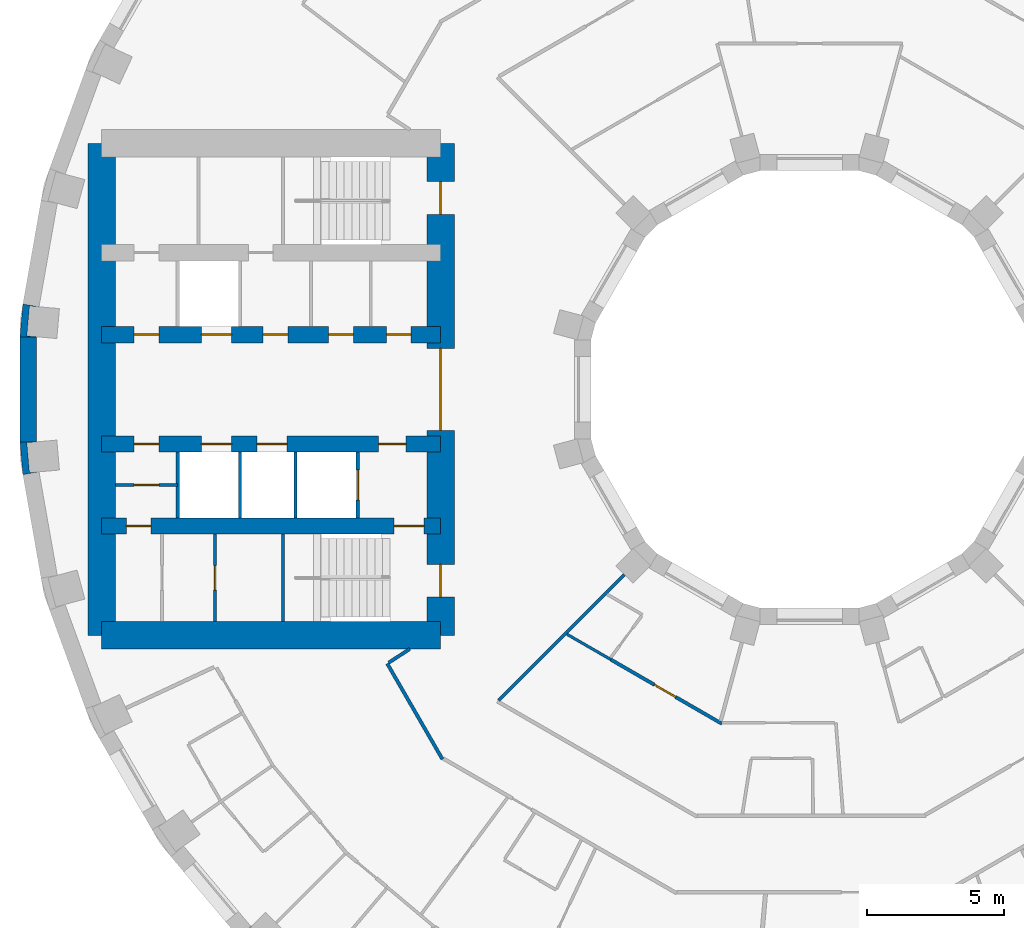
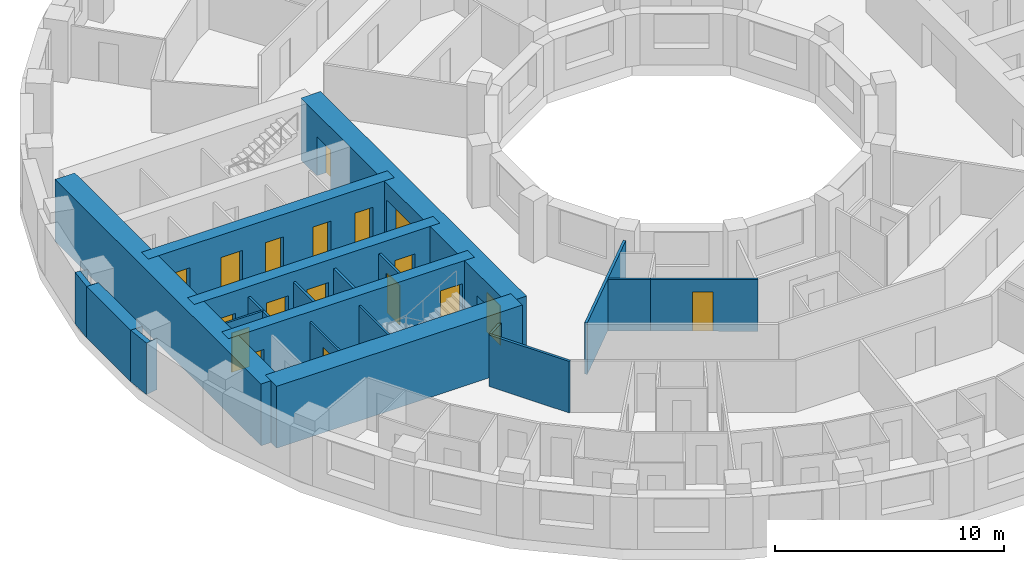
# One storey, part 6 of 15: 21 walls, 18 doors, 18 openings.
"""IFC4 building model written with IfcOpenShell, lengths in metres."""

from ifc_helpers import new_model, si_unit, direction, frame, frame_2d, origin, place, context, subcontext, project, spatial, polyline, rectangle, outline, extrude, material, layer, layer_set, type_object, element, fill, save


model = new_model("IFC4")

# Units and contexts
model_context = context("Model", 3, precision=1e-05, world=origin(), true_north=direction((0.0, 1.0)))
body_context = subcontext(model_context, "Body", "Model", "MODEL_VIEW")
ifc_project = project(units=[si_unit("LENGTHUNIT", "METRE"), si_unit("AREAUNIT", "SQUARE_METRE"), si_unit("VOLUMEUNIT", "CUBIC_METRE"), si_unit("PLANEANGLEUNIT", "RADIAN"), si_unit("MASSUNIT", "GRAM", prefix="KILO")], contexts=[model_context])

# Site, building, storey
site_placement = place(None, origin())
site = spatial("IfcSite", under=ifc_project, at=site_placement, CompositionType="ELEMENT")
building_placement = place(site_placement, origin())
building = spatial("IfcBuilding", under=site, at=building_placement, Name="Saqina Gate Tower", CompositionType="ELEMENT")
storey_placement = place(building_placement, frame((0.0, 0.0, 36.199951171875)))
storey = spatial("IfcBuildingStorey", under=building, at=storey_placement, Name="L09", CompositionType="ELEMENT", Elevation=36.199951171875)

# Walls
ifc_material_1 = material(Name="Brick masonry (red)", Category="masonry")
wall_type_1 = type_object("IfcWallType", Name="BRICK PIER COPING RED", PredefinedType="SOLIDWALL", material=ifc_material_1)
wall_1_placement = place(storey_placement, origin())
element("IfcWall", 1, at=wall_1_placement, inside=storey, type_object=wall_type_1, Name="Pier cap L09 column 18", PredefinedType="SOLIDWALL", context=body_context, shape_type="SweptSolid", body=[
    extrude(outline(polyline([(-28.78466796875, 3.122802734375), (-28.8896484375, 1.9228515625), (-28.28955078125, 1.9228515625), (-28.638671875, 1.95361328125), (-28.54296875, 3.04931640625), (-28.19384765625, 3.018798828125), (-28.78466796875, 3.122802734375)])), origin(), (0.0, 0.0, 1.0), 2.75),
])
wall_2_placement = place(storey_placement, origin())
element("IfcWall", 2, at=wall_2_placement, inside=storey, type_object=wall_type_1, Name="Pier cap L09 column 19", PredefinedType="SOLIDWALL", context=body_context, shape_type="SweptSolid", body=[
    extrude(outline(polyline([(-28.8896484375, -1.9228515625), (-28.78466796875, -3.122802734375), (-28.19384765625, -3.018798828125), (-28.54296875, -3.04931640625), (-28.638671875, -1.95361328125), (-28.28955078125, -1.9228515625), (-28.8896484375, -1.9228515625)])), origin(), (0.0, 0.0, 1.0), 2.75),
])

# Wall, opening, door
ifc_material_2 = material(Name="Gypsum board on steel studs", Category="steel")
ifc_layer_1 = layer(ifc_material_2, 0.10009765625)
ifc_layer_set_1 = layer_set([ifc_layer_1], Name="CORE PARTITION")
wall_type_2 = type_object("IfcWallType", Name="CORE PARTITION", PredefinedType="PARTITIONING", material=ifc_layer_set_1)
wall_3_placement = place(storey_placement, frame((-23.1201171875, -3.5, 0.0), z_axis=(0.0, 0.0, 1.0), x_axis=(-1.0, 0.0, 0.0)))
wall_3 = element("IfcWall", 3, at=wall_3_placement, inside=storey, type_object=wall_type_2, Name="L09-CP-W09", PredefinedType="PARTITIONING", context=body_context, shape_type="SweptSolid", body=[
    extrude(rectangle(XDim=2.27978515625, YDim=0.10009765625, at=frame_2d((1.139892578125, 0.0))), origin(), (0.0, 0.0, 1.0), 2.75),
])
opening_1_placement = place(wall_3_placement, frame((0.68994140625, 0.0, 0.0)))
opening_1 = element("IfcOpeningElement", 4, at=opening_1_placement, cuts=wall_3, Name="Opening G02-D114", PredefinedType="OPENING", context=body_context, shape_type="SweptSolid", body=[
    extrude(rectangle(XDim=0.89990234375, YDim=2.10009765625, at=frame_2d((0.449951171875, 1.050048828125))), frame((0.0, 0.06201171875, 0.0), z_axis=(0.0, -1.0, 0.0), x_axis=(1.0, 0.0, 0.0)), (0.0, 0.0, 1.0), 0.1240234375),
])
ifc_material_3 = material(Name="Steel-framed fire door leaf, EI 60", Category="steel")
door_type_1 = type_object("IfcDoorType", Name="SERVICE ROOM DOOR 900", OperationType="SINGLE_SWING_LEFT", PredefinedType="DOOR", material=ifc_material_3)
door_1_placement = place(opening_1_placement, origin())
door_1 = element("IfcDoor", 5, at=door_1_placement, inside=storey, type_object=door_type_1, Name="L09-CD-W25", OperationType="SINGLE_SWING_RIGHT", OverallHeight=2.10009765625, OverallWidth=0.89990234375, PredefinedType="DOOR", context=body_context, shape_type="SweptSolid", body=[
    extrude(rectangle(XDim=0.89990234375, YDim=2.10009765625, at=frame_2d((0.449951171875, 1.050048828125))), frame((0.0, 0.02490234375, 0.0), z_axis=(0.0, -1.0, 0.0), x_axis=(1.0, 0.0, 0.0)), (0.0, 0.0, 1.0), 0.050048828125),
])
fill(opening_1, door_1)

wall_4_placement = place(storey_placement, frame((-21.751953125, -8.5, 0.0), z_axis=(0.0, 0.0, 1.0), x_axis=(0.0, 1.0, 0.0)))
wall_4 = element("IfcWall", 6, at=wall_4_placement, inside=storey, type_object=wall_type_2, Name="L09-CP-W13", PredefinedType="PARTITIONING", context=body_context, shape_type="SweptSolid", body=[
    extrude(rectangle(XDim=3.199951171875, YDim=0.10009765625, at=frame_2d((1.60009765625, 0.0))), origin(), (0.0, 0.0, 1.0), 2.75),
])
opening_2_placement = place(wall_4_placement, frame((1.14990234375, 0.0, 0.0)))
opening_2 = element("IfcOpeningElement", 7, at=opening_2_placement, cuts=wall_4, Name="Opening G02-D116", PredefinedType="OPENING", context=body_context, shape_type="SweptSolid", body=[
    extrude(rectangle(XDim=0.89990234375, YDim=2.10009765625, at=frame_2d((0.449951171875, 1.050048828125))), frame((0.0, 0.06201171875, 0.0), z_axis=(0.0, -1.0, 0.0), x_axis=(1.0, 0.0, 0.0)), (0.0, 0.0, 1.0), 0.1240234375),
])
door_2_placement = place(opening_2_placement, frame((0.89990234375, 0.0, 0.0), z_axis=(0.0, 0.0, 1.0), x_axis=(-1.0, 0.0, 0.0)))
door_2 = element("IfcDoor", 8, at=door_2_placement, inside=storey, type_object=door_type_1, Name="L09-CD-W27", OperationType="SINGLE_SWING_RIGHT", OverallHeight=2.10009765625, OverallWidth=0.89990234375, PredefinedType="DOOR", context=body_context, shape_type="SweptSolid", body=[
    extrude(rectangle(XDim=0.89990234375, YDim=2.10009765625, at=frame_2d((0.449951171875, 1.050048828125))), frame((0.0, 0.02490234375, 0.0), z_axis=(0.0, -1.0, 0.0), x_axis=(1.0, 0.0, 0.0)), (0.0, 0.0, 1.0), 0.050048828125),
])
fill(opening_2, door_2)

# Walls
ifc_material_4 = material(Name="Glazed ceramic tile", Category="ceramic")
ifc_layer_2 = layer(ifc_material_4, 0.60009765625)
ifc_layer_set_2 = layer_set([ifc_layer_2], Name="FW-TILE")
wall_type_3 = type_object("IfcWallType", Name="FW-TILE", PredefinedType="SOLIDWALL", material=ifc_layer_set_2)
wall_5_placement = place(storey_placement, frame((-28.589599609375, 1.9228515625, 0.0), z_axis=(0.0, 0.0, 1.0), x_axis=(0.0, -1.0, 0.0)))
element("IfcWall", 9, at=wall_5_placement, inside=storey, type_object=wall_type_3, Name="Facade wall L09 facet 18", PredefinedType="SOLIDWALL", context=body_context, shape_type="SweptSolid", body=[
    extrude(rectangle(XDim=3.845703125, YDim=0.60009765625, at=frame_2d((1.9228515625, 0.0))), origin(), (0.0, 0.0, 1.0), 2.75),
])
ifc_material_5 = material(Name="Gypsum board on steel studs, 100 mm", Category="steel")
ifc_layer_3 = layer(ifc_material_5, 0.10009765625)
ifc_layer_set_3 = layer_set([ifc_layer_3], Name="PARTITION 100")
wall_type_4 = type_object("IfcWallType", Name="PARTITION 100", PredefinedType="PARTITIONING", material=ifc_layer_set_3)
wall_6_placement = place(storey_placement, frame((-8.876953125, -8.962158203125, 0.0), z_axis=(0.0, 0.0, 1.0), x_axis=(0.866196532088, -0.499703479875, 0.0)))
element("IfcWall", 10, at=wall_6_placement, inside=storey, type_object=wall_type_4, Name="PARTITION PW3-43", PredefinedType="PARTITIONING", context=body_context, shape_type="SweptSolid", body=[
    extrude(rectangle(XDim=1.856689453125, YDim=0.10009765625, at=frame_2d((0.92822265625, 0.0))), origin(), (0.0, 0.0, 1.0), 2.75),
])
ifc_material_6 = material(Name="Gypsum board on steel studs, 125 mm, fire rated", Category="steel")
ifc_layer_4 = layer(ifc_material_6, 0.125)
ifc_layer_set_4 = layer_set([ifc_layer_4], Name="PARTITION EI 30 125")
wall_type_5 = type_object("IfcWallType", Name="PARTITION EI 30 125", PredefinedType="PARTITIONING", material=ifc_layer_set_4)
wall_7_placement = place(storey_placement, frame((-15.452880859375, -10.034912109375, 0.0), z_axis=(0.0, 0.0, 1.0), x_axis=(0.499949220301, -0.866054719472, 0.0)))
element("IfcWall", 11, at=wall_7_placement, inside=storey, type_object=wall_type_5, Name="PARTITION PW1-03", PredefinedType="PARTITIONING", context=body_context, shape_type="SweptSolid", body=[
    extrude(rectangle(XDim=4.03857421875, YDim=0.125, at=frame_2d((2.019287109375, 0.0))), origin(), (0.0, 0.0, 1.0), 2.75),
])

# Wall, opening, door
wall_8_placement = place(storey_placement, frame((-7.268798828125, -9.889892578125, 0.0), z_axis=(0.0, 0.0, 1.0), x_axis=(0.865954211699, -0.50012328804, 0.0)))
wall_8 = element("IfcWall", 12, at=wall_8_placement, inside=storey, type_object=wall_type_5, Name="PARTITION PW1-18", PredefinedType="PARTITIONING", context=body_context, shape_type="SweptSolid", body=[
    extrude(rectangle(XDim=4.692138671875, YDim=0.125, at=frame_2d((2.34619140625, 0.0))), origin(), (0.0, 0.0, 1.0), 2.75),
])
opening_3_placement = place(wall_8_placement, frame((1.83447265625, 0.0, 0.0)))
opening_3 = element("IfcOpeningElement", 13, at=opening_3_placement, cuts=wall_8, Name="Opening G02-D44", PredefinedType="OPENING", context=body_context, shape_type="SweptSolid", body=[
    extrude(rectangle(XDim=0.89990234375, YDim=2.10009765625, at=frame_2d((0.449951171875, 1.050048828125))), frame((0.0, 0.074462890625, 0.0), z_axis=(0.0, -1.0, 0.0), x_axis=(1.0, 0.0, 0.0)), (0.0, 0.0, 1.0), 0.14892578125),
])
ifc_material_7 = material(Name="Fire door leaf EI 30, 900 mm")
door_type_2 = type_object("IfcDoorType", Name="DOOR 900 EI 30", OperationType="SINGLE_SWING_LEFT", PredefinedType="DOOR", material=ifc_material_7)
door_3_placement = place(opening_3_placement, frame((0.89990234375, 0.0, 0.0), z_axis=(0.0, 0.0, 1.0), x_axis=(-1.0, 0.0, 0.0)))
door_3 = element("IfcDoor", 14, at=door_3_placement, inside=storey, type_object=door_type_2, Name="DOOR G02-D44", OperationType="SINGLE_SWING_RIGHT", OverallHeight=2.10009765625, OverallWidth=0.89990234375, PredefinedType="DOOR", context=body_context, shape_type="SweptSolid", body=[
    extrude(rectangle(XDim=0.89990234375, YDim=2.10009765625, at=frame_2d((0.449951171875, 1.050048828125))), frame((0.0, 0.02490234375, 0.0), z_axis=(0.0, -1.0, 0.0), x_axis=(1.0, 0.0, 0.0)), (0.0, 0.0, 1.0), 0.050048828125),
])
fill(opening_3, door_3)

# Walls
wall_9_placement = place(storey_placement, frame((-15.400634765625, -10.0009765625, 0.0), z_axis=(0.0, 0.0, 1.0), x_axis=(0.838764779401, 0.544493934619, 0.0)))
element("IfcWall", 15, at=wall_9_placement, inside=storey, type_object=wall_type_5, Name="PARTITION PW1-44", PredefinedType="PARTITIONING", context=body_context, shape_type="SweptSolid", body=[
    extrude(rectangle(XDim=0.920166015625, YDim=0.125, at=frame_2d((0.4599609375, 0.0))), origin(), (0.0, 0.0, 1.0), 2.75),
])
wall_10_placement = place(storey_placement, frame((-11.375732421875, -11.375732421875, 0.0), z_axis=(0.0, 0.0, 1.0), x_axis=(0.707106781187, 0.707106781187, 0.0)))
element("IfcWall", 16, at=wall_10_placement, inside=storey, type_object=wall_type_5, Name="PARTITION PW1-46", PredefinedType="PARTITIONING", context=body_context, shape_type="SweptSolid", body=[
    extrude(rectangle(XDim=6.49560546875, YDim=0.125, at=frame_2d((3.247802734375, 0.0))), origin(), (0.0, 0.0, 1.0), 2.75),
])

# Wall, opening, door
ifc_material_8 = material(Name="Autoclaved aerated concrete block", Category="concrete")
ifc_layer_5 = layer(ifc_material_8, 0.1201171875)
ifc_layer_set_5 = layer_set([ifc_layer_5], Name="SHAFT PARTITION")
wall_type_6 = type_object("IfcWallType", Name="SHAFT PARTITION", PredefinedType="PARTITIONING", material=ifc_layer_set_5)
wall_11_placement = place(storey_placement, frame((-16.530029296875, -4.699951171875, 0.0), z_axis=(0.0, 0.0, 1.0), x_axis=(0.0, 1.0, 0.0)))
wall_11 = element("IfcWall", 17, at=wall_11_placement, inside=storey, type_object=wall_type_6, Name="L09-CP-W05", PredefinedType="PARTITIONING", context=body_context, shape_type="SweptSolid", body=[
    extrude(rectangle(XDim=2.39990234375, YDim=0.1201171875, at=frame_2d((1.199951171875, 0.0))), origin(), (0.0, 0.0, 1.0), 2.75),
])
opening_4_placement = place(wall_11_placement, frame((0.64990234375, 0.0, 0.0)))
opening_4 = element("IfcOpeningElement", 18, at=opening_4_placement, cuts=wall_11, Name="Opening G02-LD6", PredefinedType="OPENING", context=body_context, shape_type="SweptSolid", body=[
    extrude(rectangle(XDim=1.10009765625, YDim=2.10009765625, at=frame_2d((0.550048828125, 1.050048828125))), frame((0.0, 0.072021484375, 0.0), z_axis=(0.0, -1.0, 0.0), x_axis=(1.0, 0.0, 0.0)), (0.0, 0.0, 1.0), 0.14404296875),
])
ifc_material_9 = material(Name="Stainless steel", Category="steel")
door_type_3 = type_object("IfcDoorType", Name="LANDING DOOR", OperationType="DOUBLE_DOOR_SLIDING", PredefinedType="DOOR", material=ifc_material_9)
door_4_placement = place(opening_4_placement, origin())
door_4 = element("IfcDoor", 19, at=door_4_placement, inside=storey, type_object=door_type_3, Name="LANDING DOOR FF2", OperationType="DOUBLE_DOOR_SLIDING", OverallHeight=2.10009765625, OverallWidth=1.10009765625, PredefinedType="DOOR", context=body_context, shape_type="SweptSolid", body=[
    extrude(rectangle(XDim=1.10009765625, YDim=2.10009765625, at=frame_2d((0.550048828125, 1.050048828125))), frame((0.0, 0.02490234375, 0.0), z_axis=(0.0, -1.0, 0.0), x_axis=(1.0, 0.0, 0.0)), (0.0, 0.0, 1.0), 0.050048828125),
])
fill(opening_4, door_4)

# Walls
for number, where, z_axis, x_axis, name in (
    (20, (-18.81005859375, -4.699951171875, 0.0), (0.0, 0.0, 1.0), (0.0, 1.0, 0.0), "L09-CP-W06"),
    (21, (-20.840087890625, -4.699951171875, 0.0), (0.0, 0.0, 1.0), (0.0, 1.0, 0.0), "L09-CP-W07"),
    (22, (-23.1201171875, -4.699951171875, 0.0), (0.0, 0.0, 1.0), (0.0, 1.0, 0.0), "L09-CP-W08"),
):
    element("IfcWall", number, at=place(storey_placement, frame(where, z_axis=z_axis, x_axis=x_axis)), inside=storey, type_object=wall_type_6, Name=name, PredefinedType="PARTITIONING", context=body_context, shape_type="SweptSolid", body=[
        extrude(rectangle(XDim=2.39990234375, YDim=0.1201171875, at=frame_2d((1.199951171875, 0.0))), origin(), (0.0, 0.0, 1.0), 2.75),
    ])
ifc_material_10 = material(Name="Autoclaved aerated concrete block", Category="concrete")
ifc_layer_6 = layer(ifc_material_10, 0.10009765625)
ifc_layer_set_6 = layer_set([ifc_layer_6], Name="STAIR ENCLOSURE WALL")
wall_type_7 = type_object("IfcWallType", Name="STAIR ENCLOSURE WALL", PredefinedType="PARTITIONING", material=ifc_layer_set_6)
wall_12_placement = place(storey_placement, frame((-19.27001953125, -8.5, 0.0), z_axis=(0.0, 0.0, 1.0), x_axis=(0.0, 1.0, 0.0)))
element("IfcWall", 23, at=wall_12_placement, inside=storey, type_object=wall_type_7, Name="L09-CP-W12", PredefinedType="PARTITIONING", context=body_context, shape_type="SweptSolid", body=[
    extrude(rectangle(XDim=3.199951171875, YDim=0.10009765625, at=frame_2d((1.60009765625, 0.0))), origin(), (0.0, 0.0, 1.0), 2.75),
])

# Wall, openings, doors
ifc_material_11 = material(Name="Concrete C70/85", Category="concrete")
ifc_layer_7 = layer(ifc_material_11, 0.60009765625)
ifc_layer_set_7 = layer_set([ifc_layer_7], Name="Concrete C70/85")
wall_type_8 = type_object("IfcWallType", Name="STR-CORE WALL-A-I", PredefinedType="SHEAR", material=ifc_layer_set_7)
wall_13_placement = place(storey_placement, frame((-13.5, -5.0, 0.0), z_axis=(0.0, 0.0, 1.0), x_axis=(-1.0, 0.0, 0.0)))
wall_13 = element("IfcWall", 24, at=wall_13_placement, inside=storey, type_object=wall_type_8, Name="CORE WALL L09 W-X2", PredefinedType="SHEAR", context=body_context, shape_type="SweptSolid", body=[
    extrude(rectangle(XDim=12.39990234375, YDim=0.60009765625, at=frame_2d((6.199951171875, 0.0))), origin(), (0.0, 0.0, 1.0), 3.300048828125),
])
opening_5_placement = place(wall_13_placement, frame((10.598876953125, 0.0, 0.0)))
opening_5 = element("IfcOpeningElement", 25, at=opening_5_placement, cuts=wall_13, Name="Opening G02-D117", PredefinedType="OPENING", context=body_context, shape_type="SweptSolid", body=[
    extrude(rectangle(XDim=0.89990234375, YDim=2.10009765625, at=frame_2d((0.449951171875, 1.050048828125))), frame((0.0, 0.31201171875, 0.0), z_axis=(0.0, -1.0, 0.0), x_axis=(1.0, 0.0, 0.0)), (0.0, 0.0, 1.0), 0.6240234375),
])
opening_6_placement = place(wall_13_placement, frame((0.60009765625, 0.0, 0.0)))
opening_6 = element("IfcOpeningElement", 26, at=opening_6_placement, cuts=wall_13, Name="Opening G02-D118", PredefinedType="OPENING", context=body_context, shape_type="SweptSolid", body=[
    extrude(rectangle(XDim=1.10009765625, YDim=2.10009765625, at=frame_2d((0.550048828125, 1.050048828125))), frame((0.0, 0.31201171875, 0.0), z_axis=(0.0, -1.0, 0.0), x_axis=(1.0, 0.0, 0.0)), (0.0, 0.0, 1.0), 0.6240234375),
])
ifc_material_12 = material(Name="Steel", Category="steel")
door_type_4 = type_object("IfcDoorType", Name="FIRE LOBBY DOOR EI 60 WIDE", OperationType="SINGLE_SWING_LEFT", PredefinedType="DOOR", material=ifc_material_12)
door_5_placement = place(opening_6_placement, origin())
door_5 = element("IfcDoor", 27, at=door_5_placement, inside=storey, type_object=door_type_4, Name="L09-CD-W29", OperationType="SINGLE_SWING_LEFT", OverallHeight=2.10009765625, OverallWidth=1.10009765625, PredefinedType="DOOR", context=body_context, shape_type="SweptSolid", body=[
    extrude(rectangle(XDim=1.10009765625, YDim=2.10009765625, at=frame_2d((0.550048828125, 1.050048828125))), frame((0.0, 0.02490234375, 0.0), z_axis=(0.0, -1.0, 0.0), x_axis=(1.0, 0.0, 0.0)), (0.0, 0.0, 1.0), 0.050048828125),
])
fill(opening_6, door_5)
door_6_placement = place(opening_5_placement, origin())
door_6 = element("IfcDoor", 28, at=door_6_placement, inside=storey, type_object=door_type_1, Name="L09-CD-W28", OperationType="SINGLE_SWING_RIGHT", OverallHeight=2.10009765625, OverallWidth=0.89990234375, PredefinedType="DOOR", context=body_context, shape_type="SweptSolid", body=[
    extrude(rectangle(XDim=0.89990234375, YDim=2.10009765625, at=frame_2d((0.449951171875, 1.050048828125))), frame((0.0, 0.02490234375, 0.0), z_axis=(0.0, -1.0, 0.0), x_axis=(1.0, 0.0, 0.0)), (0.0, 0.0, 1.0), 0.050048828125),
])
fill(opening_5, door_6)

wall_14_placement = place(storey_placement, frame((-13.5, 2.0, 0.0), z_axis=(0.0, 0.0, 1.0), x_axis=(-1.0, 0.0, 0.0)))
wall_14 = element("IfcWall", 29, at=wall_14_placement, inside=storey, type_object=wall_type_8, Name="CORE WALL L09 W-L1", PredefinedType="SHEAR", context=body_context, shape_type="SweptSolid", body=[
    extrude(rectangle(XDim=12.39990234375, YDim=0.60009765625, at=frame_2d((6.199951171875, 0.0))), origin(), (0.0, 0.0, 1.0), 3.300048828125),
])
opening_7_placement = place(wall_14_placement, frame((7.64990234375, 0.0, 0.0)))
opening_7 = element("IfcOpeningElement", 30, at=opening_7_placement, cuts=wall_14, Name="Opening G02-LD5", PredefinedType="OPENING", context=body_context, shape_type="SweptSolid", body=[
    extrude(rectangle(XDim=1.10009765625, YDim=2.10009765625, at=frame_2d((0.550048828125, 1.050048828125))), frame((0.0, 0.31201171875, 0.0), z_axis=(0.0, -1.0, 0.0), x_axis=(1.0, 0.0, 0.0)), (0.0, 0.0, 1.0), 0.6240234375),
])
opening_8_placement = place(wall_14_placement, frame((1.075927734375, 0.0, 0.0)))
opening_8 = element("IfcOpeningElement", 31, at=opening_8_placement, cuts=wall_14, Name="Opening G02-D106", PredefinedType="OPENING", context=body_context, shape_type="SweptSolid", body=[
    extrude(rectangle(XDim=0.89990234375, YDim=2.10009765625, at=frame_2d((0.449951171875, 1.050048828125))), frame((0.0, 0.31201171875, 0.0), z_axis=(0.0, -1.0, 0.0), x_axis=(1.0, 0.0, 0.0)), (0.0, 0.0, 1.0), 0.6240234375),
])
opening_9_placement = place(wall_14_placement, frame((3.1962890625, 0.0, 0.0)))
opening_9 = element("IfcOpeningElement", 32, at=opening_9_placement, cuts=wall_14, Name="Opening G02-D107", PredefinedType="OPENING", context=body_context, shape_type="SweptSolid", body=[
    extrude(rectangle(XDim=0.89990234375, YDim=2.10009765625, at=frame_2d((0.449951171875, 1.050048828125))), frame((0.0, 0.31201171875, 0.0), z_axis=(0.0, -1.0, 0.0), x_axis=(1.0, 0.0, 0.0)), (0.0, 0.0, 1.0), 0.6240234375),
])
opening_10_placement = place(wall_14_placement, frame((5.59033203125, 0.0, 0.0)))
opening_10 = element("IfcOpeningElement", 33, at=opening_10_placement, cuts=wall_14, Name="Opening G02-D108", PredefinedType="OPENING", context=body_context, shape_type="SweptSolid", body=[
    extrude(rectangle(XDim=0.89990234375, YDim=2.10009765625, at=frame_2d((0.449951171875, 1.050048828125))), frame((0.0, 0.31201171875, 0.0), z_axis=(0.0, -1.0, 0.0), x_axis=(1.0, 0.0, 0.0)), (0.0, 0.0, 1.0), 0.6240234375),
])
opening_11_placement = place(wall_14_placement, frame((10.31005859375, 0.0, 0.0)))
opening_11 = element("IfcOpeningElement", 34, at=opening_11_placement, cuts=wall_14, Name="Opening G02-D109", PredefinedType="OPENING", context=body_context, shape_type="SweptSolid", body=[
    extrude(rectangle(XDim=0.89990234375, YDim=2.10009765625, at=frame_2d((0.449951171875, 1.050048828125))), frame((0.0, 0.31201171875, 0.0), z_axis=(0.0, -1.0, 0.0), x_axis=(1.0, 0.0, 0.0)), (0.0, 0.0, 1.0), 0.6240234375),
])
door_7_placement = place(opening_7_placement, origin())
door_7 = element("IfcDoor", 35, at=door_7_placement, inside=storey, type_object=door_type_3, Name="LANDING DOOR LR4", OperationType="DOUBLE_DOOR_SLIDING", OverallHeight=2.10009765625, OverallWidth=1.10009765625, PredefinedType="DOOR", context=body_context, shape_type="SweptSolid", body=[
    extrude(rectangle(XDim=1.10009765625, YDim=2.10009765625, at=frame_2d((0.550048828125, 1.050048828125))), frame((0.0, 0.02490234375, 0.0), z_axis=(0.0, -1.0, 0.0), x_axis=(1.0, 0.0, 0.0)), (0.0, 0.0, 1.0), 0.050048828125),
])
fill(opening_7, door_7)
door_8_placement = place(opening_8_placement, frame((0.89990234375, 0.0, 0.0), z_axis=(0.0, 0.0, 1.0), x_axis=(-1.0, 0.0, 0.0)))
door_8 = element("IfcDoor", 36, at=door_8_placement, inside=storey, type_object=door_type_1, Name="L09-CD-W17", OperationType="SINGLE_SWING_LEFT", OverallHeight=2.10009765625, OverallWidth=0.89990234375, PredefinedType="DOOR", context=body_context, shape_type="SweptSolid", body=[
    extrude(rectangle(XDim=0.89990234375, YDim=2.10009765625, at=frame_2d((0.449951171875, 1.050048828125))), frame((0.0, 0.02490234375, 0.0), z_axis=(0.0, -1.0, 0.0), x_axis=(1.0, 0.0, 0.0)), (0.0, 0.0, 1.0), 0.050048828125),
])
fill(opening_8, door_8)
door_9_placement = place(opening_9_placement, frame((0.89990234375, 0.0, 0.0), z_axis=(0.0, 0.0, 1.0), x_axis=(-1.0, 0.0, 0.0)))
door_9 = element("IfcDoor", 37, at=door_9_placement, inside=storey, type_object=door_type_1, Name="L09-CD-W18", OperationType="SINGLE_SWING_RIGHT", OverallHeight=2.10009765625, OverallWidth=0.89990234375, PredefinedType="DOOR", context=body_context, shape_type="SweptSolid", body=[
    extrude(rectangle(XDim=0.89990234375, YDim=2.10009765625, at=frame_2d((0.449951171875, 1.050048828125))), frame((0.0, 0.02490234375, 0.0), z_axis=(0.0, -1.0, 0.0), x_axis=(1.0, 0.0, 0.0)), (0.0, 0.0, 1.0), 0.050048828125),
])
fill(opening_9, door_9)
door_10_placement = place(opening_10_placement, frame((0.89990234375, 0.0, 0.0), z_axis=(0.0, 0.0, 1.0), x_axis=(-1.0, 0.0, 0.0)))
door_10 = element("IfcDoor", 38, at=door_10_placement, inside=storey, type_object=door_type_1, Name="L09-CD-W19", OperationType="SINGLE_SWING_RIGHT", OverallHeight=2.10009765625, OverallWidth=0.89990234375, PredefinedType="DOOR", context=body_context, shape_type="SweptSolid", body=[
    extrude(rectangle(XDim=0.89990234375, YDim=2.10009765625, at=frame_2d((0.449951171875, 1.050048828125))), frame((0.0, 0.02490234375, 0.0), z_axis=(0.0, -1.0, 0.0), x_axis=(1.0, 0.0, 0.0)), (0.0, 0.0, 1.0), 0.050048828125),
])
fill(opening_10, door_10)
door_11_placement = place(opening_11_placement, frame((0.89990234375, 0.0, 0.0), z_axis=(0.0, 0.0, 1.0), x_axis=(-1.0, 0.0, 0.0)))
door_11 = element("IfcDoor", 39, at=door_11_placement, inside=storey, type_object=door_type_1, Name="L09-CD-W20", OperationType="SINGLE_SWING_LEFT", OverallHeight=2.10009765625, OverallWidth=0.89990234375, PredefinedType="DOOR", context=body_context, shape_type="SweptSolid", body=[
    extrude(rectangle(XDim=0.89990234375, YDim=2.10009765625, at=frame_2d((0.449951171875, 1.050048828125))), frame((0.0, 0.02490234375, 0.0), z_axis=(0.0, -1.0, 0.0), x_axis=(1.0, 0.0, 0.0)), (0.0, 0.0, 1.0), 0.050048828125),
])
fill(opening_11, door_11)

wall_15_placement = place(storey_placement, frame((-13.5, -2.0, 0.0), z_axis=(0.0, 0.0, 1.0), x_axis=(-1.0, 0.0, 0.0)))
wall_15 = element("IfcWall", 40, at=wall_15_placement, inside=storey, type_object=wall_type_8, Name="CORE WALL L09 W-L2", PredefinedType="SHEAR", context=body_context, shape_type="SweptSolid", body=[
    extrude(rectangle(XDim=12.39990234375, YDim=0.60009765625, at=frame_2d((6.199951171875, 0.0))), origin(), (0.0, 0.0, 1.0), 3.300048828125),
])
opening_12_placement = place(wall_15_placement, frame((5.6201171875, 0.0, 0.0)))
opening_12 = element("IfcOpeningElement", 41, at=opening_12_placement, cuts=wall_15, Name="Opening G02-LD7", PredefinedType="OPENING", context=body_context, shape_type="SweptSolid", body=[
    extrude(rectangle(XDim=1.10009765625, YDim=2.10009765625, at=frame_2d((0.550048828125, 1.050048828125))), frame((0.0, 0.31201171875, 0.0), z_axis=(0.0, -1.0, 0.0), x_axis=(1.0, 0.0, 0.0)), (0.0, 0.0, 1.0), 0.6240234375),
])
opening_13_placement = place(wall_15_placement, frame((7.64990234375, 0.0, 0.0)))
opening_13 = element("IfcOpeningElement", 42, at=opening_13_placement, cuts=wall_15, Name="Opening G02-LD8", PredefinedType="OPENING", context=body_context, shape_type="SweptSolid", body=[
    extrude(rectangle(XDim=1.10009765625, YDim=2.10009765625, at=frame_2d((0.550048828125, 1.050048828125))), frame((0.0, 0.31201171875, 0.0), z_axis=(0.0, -1.0, 0.0), x_axis=(1.0, 0.0, 0.0)), (0.0, 0.0, 1.0), 0.6240234375),
])
opening_14_placement = place(wall_15_placement, frame((1.264892578125, 0.0, 0.0)))
opening_14 = element("IfcOpeningElement", 43, at=opening_14_placement, cuts=wall_15, Name="Opening G02-D110", PredefinedType="OPENING", context=body_context, shape_type="SweptSolid", body=[
    extrude(rectangle(XDim=1.0, YDim=2.10009765625, at=frame_2d((0.5, 1.050048828125))), frame((0.0, 0.31201171875, 0.0), z_axis=(0.0, -1.0, 0.0), x_axis=(1.0, 0.0, 0.0)), (0.0, 0.0, 1.0), 0.6240234375),
])
opening_15_placement = place(wall_15_placement, frame((10.31005859375, 0.0, 0.0)))
opening_15 = element("IfcOpeningElement", 44, at=opening_15_placement, cuts=wall_15, Name="Opening G02-D111", PredefinedType="OPENING", context=body_context, shape_type="SweptSolid", body=[
    extrude(rectangle(XDim=0.89990234375, YDim=2.10009765625, at=frame_2d((0.449951171875, 1.050048828125))), frame((0.0, 0.31201171875, 0.0), z_axis=(0.0, -1.0, 0.0), x_axis=(1.0, 0.0, 0.0)), (0.0, 0.0, 1.0), 0.6240234375),
])
ifc_material_13 = material(Name="Steel", Category="steel")
door_type_5 = type_object("IfcDoorType", Name="FIRE LOBBY DOOR EI 60", OperationType="SINGLE_SWING_LEFT", PredefinedType="DOOR", material=ifc_material_13)
door_12_placement = place(opening_14_placement, frame((1.0, 0.0, 0.0), z_axis=(0.0, 0.0, 1.0), x_axis=(-1.0, 0.0, 0.0)))
door_12 = element("IfcDoor", 45, at=door_12_placement, inside=storey, type_object=door_type_5, Name="L09-CD-W21", OperationType="SINGLE_SWING_RIGHT", OverallHeight=2.10009765625, OverallWidth=1.0, PredefinedType="DOOR", context=body_context, shape_type="SweptSolid", body=[
    extrude(rectangle(XDim=1.0, YDim=2.10009765625, at=frame_2d((0.5, 1.050048828125))), frame((0.0, 0.02490234375, 0.0), z_axis=(0.0, -1.0, 0.0), x_axis=(1.0, 0.0, 0.0)), (0.0, 0.0, 1.0), 0.050048828125),
])
fill(opening_14, door_12)
door_13_placement = place(opening_12_placement, origin())
door_13 = element("IfcDoor", 46, at=door_13_placement, inside=storey, type_object=door_type_3, Name="LANDING DOOR LR6", OperationType="DOUBLE_DOOR_SLIDING", OverallHeight=2.10009765625, OverallWidth=1.10009765625, PredefinedType="DOOR", context=body_context, shape_type="SweptSolid", body=[
    extrude(rectangle(XDim=1.10009765625, YDim=2.10009765625, at=frame_2d((0.550048828125, 1.050048828125))), frame((0.0, 0.02490234375, 0.0), z_axis=(0.0, -1.0, 0.0), x_axis=(1.0, 0.0, 0.0)), (0.0, 0.0, 1.0), 0.050048828125),
])
fill(opening_12, door_13)
door_14_placement = place(opening_13_placement, origin())
door_14 = element("IfcDoor", 47, at=door_14_placement, inside=storey, type_object=door_type_3, Name="LANDING DOOR LR5", OperationType="DOUBLE_DOOR_SLIDING", OverallHeight=2.10009765625, OverallWidth=1.10009765625, PredefinedType="DOOR", context=body_context, shape_type="SweptSolid", body=[
    extrude(rectangle(XDim=1.10009765625, YDim=2.10009765625, at=frame_2d((0.550048828125, 1.050048828125))), frame((0.0, 0.02490234375, 0.0), z_axis=(0.0, -1.0, 0.0), x_axis=(1.0, 0.0, 0.0)), (0.0, 0.0, 1.0), 0.050048828125),
])
fill(opening_13, door_14)
door_15_placement = place(opening_15_placement, origin())
door_15 = element("IfcDoor", 48, at=door_15_placement, inside=storey, type_object=door_type_1, Name="L09-CD-W22", OperationType="SINGLE_SWING_RIGHT", OverallHeight=2.10009765625, OverallWidth=0.89990234375, PredefinedType="DOOR", context=body_context, shape_type="SweptSolid", body=[
    extrude(rectangle(XDim=0.89990234375, YDim=2.10009765625, at=frame_2d((0.449951171875, 1.050048828125))), frame((0.0, 0.02490234375, 0.0), z_axis=(0.0, -1.0, 0.0), x_axis=(1.0, 0.0, 0.0)), (0.0, 0.0, 1.0), 0.050048828125),
])
fill(opening_15, door_15)

ifc_material_14 = material(Name="Concrete C70/85", Category="concrete")
ifc_layer_8 = layer(ifc_material_14, 1.0)
ifc_layer_set_8 = layer_set([ifc_layer_8], Name="Concrete C70/85")
wall_type_9 = type_object("IfcWallType", Name="STR-CORE WALL-A-O", PredefinedType="SHEAR", material=ifc_layer_set_8)
wall_16_placement = place(storey_placement, frame((-13.5, -9.0, 0.0), z_axis=(0.0, 0.0, 1.0), x_axis=(0.0, 1.0, 0.0)))
wall_16 = element("IfcWall", 49, at=wall_16_placement, inside=storey, type_object=wall_type_9, Name="CORE WALL L09 W-W1", PredefinedType="SHEAR", context=body_context, shape_type="SweptSolid", body=[
    extrude(rectangle(XDim=18.0, YDim=1.0, at=frame_2d((9.0, 0.0))), origin(), (0.0, 0.0, 1.0), 3.300048828125),
])
opening_16_placement = place(wall_16_placement, frame((15.39990234375, 0.0, 0.0)))
opening_16 = element("IfcOpeningElement", 50, at=opening_16_placement, cuts=wall_16, Name="Opening G02-D119", PredefinedType="OPENING", context=body_context, shape_type="SweptSolid", body=[
    extrude(rectangle(XDim=1.199951171875, YDim=2.10009765625, at=frame_2d((0.60009765625, 1.050048828125))), frame((0.0, 0.511962890625, 0.0), z_axis=(0.0, -1.0, 0.0), x_axis=(1.0, 0.0, 0.0)), (0.0, 0.0, 1.0), 1.02392578125),
])
opening_17_placement = place(wall_16_placement, frame((1.39990234375, 0.0, 0.0)))
opening_17 = element("IfcOpeningElement", 51, at=opening_17_placement, cuts=wall_16, Name="Opening G02-D120", PredefinedType="OPENING", context=body_context, shape_type="SweptSolid", body=[
    extrude(rectangle(XDim=1.199951171875, YDim=2.10009765625, at=frame_2d((0.60009765625, 1.050048828125))), frame((0.0, 0.511962890625, 0.0), z_axis=(0.0, -1.0, 0.0), x_axis=(1.0, 0.0, 0.0)), (0.0, 0.0, 1.0), 1.02392578125),
])
opening_18_placement = place(wall_16_placement, frame((7.5, 0.0, 0.0)))
opening_18 = element("IfcOpeningElement", 52, at=opening_18_placement, cuts=wall_16, Name="Opening G02-D121", PredefinedType="OPENING", context=body_context, shape_type="SweptSolid", body=[
    extrude(rectangle(XDim=3.0, YDim=2.39990234375, at=frame_2d((1.5, 1.199951171875))), frame((0.0, 0.511962890625, 0.0), z_axis=(0.0, -1.0, 0.0), x_axis=(1.0, 0.0, 0.0)), (0.0, 0.0, 1.0), 1.02392578125),
])
ifc_material_15 = material(Name="Steel", Category="steel")
door_type_6 = type_object("IfcDoorType", Name="FIRE DOOR EI 60", OperationType="SINGLE_SWING_LEFT", PredefinedType="DOOR", material=ifc_material_15)
door_16_placement = place(opening_16_placement, origin())
door_16 = element("IfcDoor", 53, at=door_16_placement, inside=storey, type_object=door_type_6, Name="L09-CD-W30", OperationType="SINGLE_SWING_RIGHT", OverallHeight=2.10009765625, OverallWidth=1.199951171875, PredefinedType="DOOR", context=body_context, shape_type="SweptSolid", body=[
    extrude(rectangle(XDim=1.199951171875, YDim=2.10009765625, at=frame_2d((0.60009765625, 1.050048828125))), frame((0.0, 0.02490234375, 0.0), z_axis=(0.0, -1.0, 0.0), x_axis=(1.0, 0.0, 0.0)), (0.0, 0.0, 1.0), 0.050048828125),
])
fill(opening_16, door_16)
door_17_placement = place(opening_17_placement, origin())
door_17 = element("IfcDoor", 54, at=door_17_placement, inside=storey, type_object=door_type_6, Name="L09-CD-W31", OperationType="SINGLE_SWING_LEFT", OverallHeight=2.10009765625, OverallWidth=1.199951171875, PredefinedType="DOOR", context=body_context, shape_type="SweptSolid", body=[
    extrude(rectangle(XDim=1.199951171875, YDim=2.10009765625, at=frame_2d((0.60009765625, 1.050048828125))), frame((0.0, 0.02490234375, 0.0), z_axis=(0.0, -1.0, 0.0), x_axis=(1.0, 0.0, 0.0)), (0.0, 0.0, 1.0), 0.050048828125),
])
fill(opening_17, door_17)
ifc_material_16 = material(Name="Steel and fire-resisting glass", Category="steel")
door_type_7 = type_object("IfcDoorType", Name="LOBBY SCREEN DOOR", OperationType="DOUBLE_DOOR_SLIDING", PredefinedType="DOOR", material=ifc_material_16)
door_18_placement = place(opening_18_placement, origin())
door_18 = element("IfcDoor", 55, at=door_18_placement, inside=storey, type_object=door_type_7, Name="L09-CD-W32", OperationType="DOUBLE_DOOR_SLIDING", OverallHeight=2.39990234375, OverallWidth=3.0, PredefinedType="DOOR", context=body_context, shape_type="SweptSolid", body=[
    extrude(rectangle(XDim=3.0, YDim=2.39990234375, at=frame_2d((1.5, 1.199951171875))), frame((0.0, 0.02490234375, 0.0), z_axis=(0.0, -1.0, 0.0), x_axis=(1.0, 0.0, 0.0)), (0.0, 0.0, 1.0), 0.050048828125),
])
fill(opening_18, door_18)

# Walls
wall_17_placement = place(storey_placement, frame((-25.89990234375, -9.0, 0.0), z_axis=(0.0, 0.0, 1.0), x_axis=(0.0, 1.0, 0.0)))
element("IfcWall", 56, at=wall_17_placement, inside=storey, type_object=wall_type_9, Name="CORE WALL L09 W-W2", PredefinedType="SHEAR", context=body_context, shape_type="SweptSolid", body=[
    extrude(rectangle(XDim=18.0, YDim=1.0, at=frame_2d((9.0, 0.0))), origin(), (0.0, 0.0, 1.0), 3.300048828125),
])
wall_18_placement = place(storey_placement, frame((-13.5, -9.0, 0.0), z_axis=(0.0, 0.0, 1.0), x_axis=(-1.0, 0.0, 0.0)))
element("IfcWall", 57, at=wall_18_placement, inside=storey, type_object=wall_type_9, Name="CORE WALL L09 W-SE", PredefinedType="SHEAR", context=body_context, shape_type="SweptSolid", body=[
    extrude(rectangle(XDim=12.39990234375, YDim=1.0, at=frame_2d((6.199951171875, 0.0))), origin(), (0.0, 0.0, 1.0), 3.300048828125),
])

save(model, "model.ifc")
